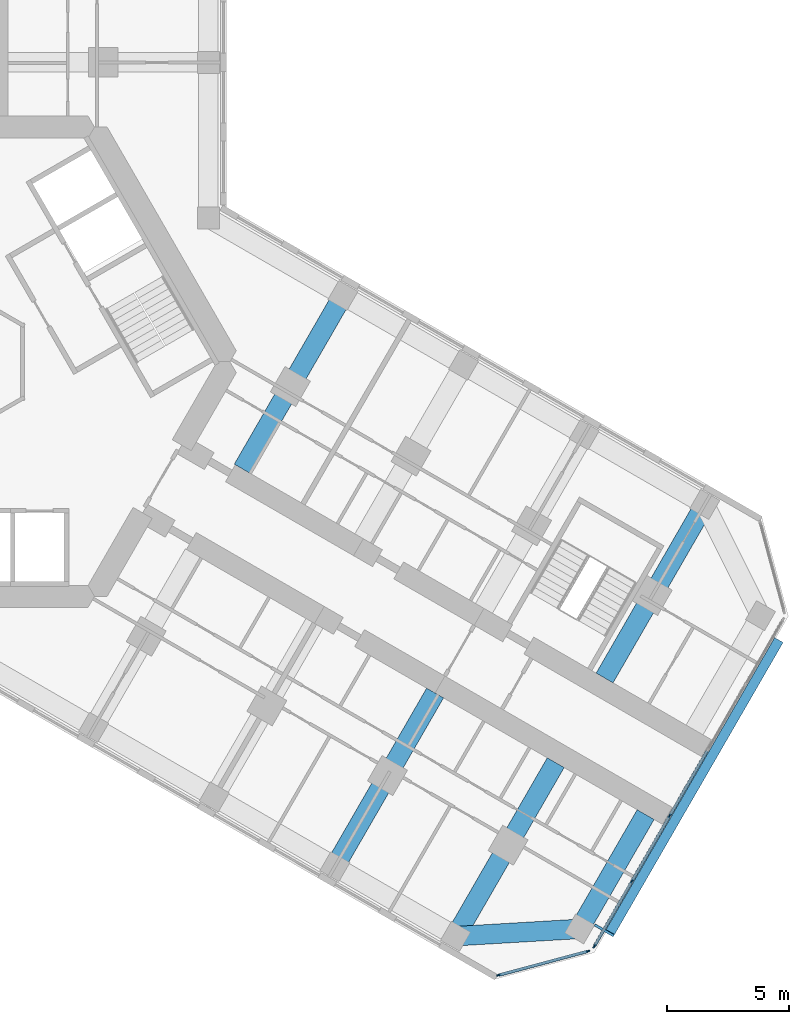
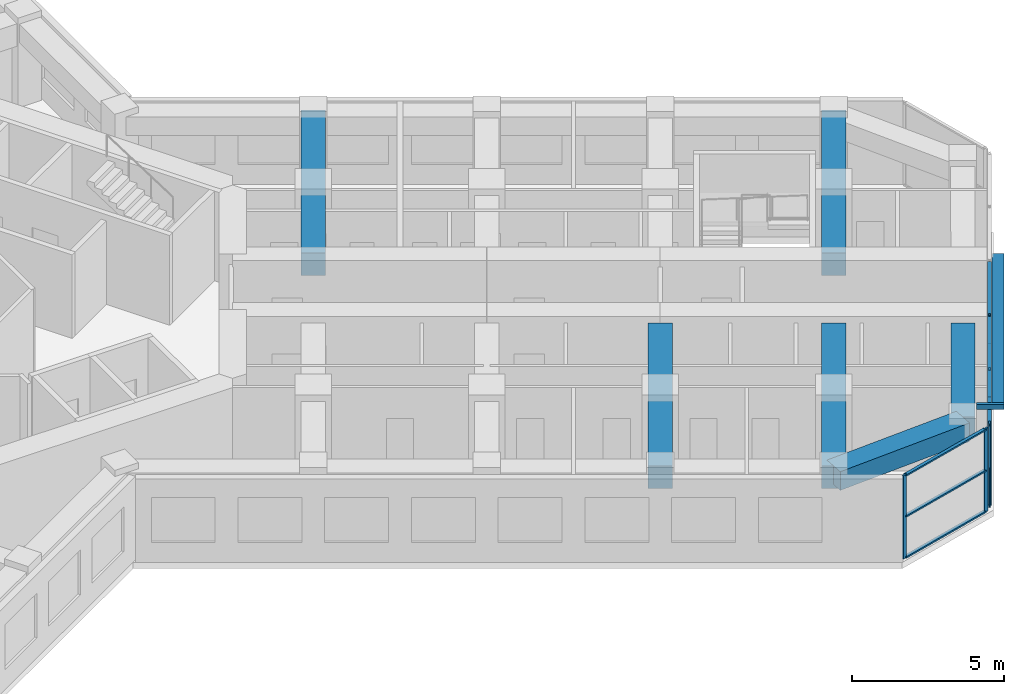
# One storey, part 5 of 19: 16 members, 6 beams, 2 elements without a shape of their own.
"""IFC4 building model written with IfcOpenShell, lengths in metres."""

from ifc_helpers import new_model, si_unit, direction, frame, origin, origin_2d, place, context, subcontext, project, spatial, rectangle, hollow_rectangle, extrude, material, material_profile, profile_set, type_object, element, aggregate, save


model = new_model("IFC4")

# Units and contexts
model_context = context("Model", 3, precision=1e-05, world=origin(), true_north=direction((0.0, 1.0)))
body_context = subcontext(model_context, "Body", "Model", "MODEL_VIEW")
ifc_project = project(units=[si_unit("LENGTHUNIT", "METRE"), si_unit("AREAUNIT", "SQUARE_METRE"), si_unit("VOLUMEUNIT", "CUBIC_METRE"), si_unit("PLANEANGLEUNIT", "RADIAN"), si_unit("MASSUNIT", "GRAM", prefix="KILO")], contexts=[model_context])

# Site, building, storey
site_placement = place(None, origin())
site = spatial("IfcSite", under=ifc_project, at=site_placement, CompositionType="ELEMENT")
building_placement = place(site_placement, origin())
building = spatial("IfcBuilding", under=site, at=building_placement, Name="Kosmar Iwan School Tower", CompositionType="ELEMENT")
storey_placement = place(building_placement, frame((0.0, 0.0, 134.60009765625)))
storey = spatial("IfcBuildingStorey", under=building, at=storey_placement, Name="L33", CompositionType="ELEMENT", Elevation=134.60009765625)

# Members
ifc_material_1 = material(Name="Black anodised aluminium", Category="aluminium")
ifc_material_profile_1 = material_profile(ifc_material_1, rectangle(XDim=0.10009765625, YDim=0.39990234375, at=origin_2d()), Name="FIN 100x400")
ifc_profile_set_1 = profile_set([ifc_material_profile_1], Name="Black anodised aluminium")
member_type_1 = type_object("IfcMemberType", Name="Diagonal fin 100x400", PredefinedType="USERDEFINED", material=ifc_profile_set_1)
member_1_placement = place(storey_placement, frame((33.54345703125, -11.40087890625, -0.150146484375), z_axis=(-0.483793446988, -0.837970316603, 0.25248692866), x_axis=(0.126241714543, 0.218661104574, 0.96760030532)))
element("IfcMember", 1, at=member_1_placement, inside=storey, type_object=member_type_1, Name="Diagonal fin L33-F03", ObjectType="FIN", PredefinedType="USERDEFINED", context=body_context, shape_type="SweptSolid", body=[
    extrude(rectangle(XDim=0.10009765625, YDim=0.39990234375, at=origin_2d()), origin(), (0.0, 0.0, 1.0), 14.258544921875),
])
ifc_material_2 = material(Name="Steel S355", Category="steel")
ifc_material_profile_2 = material_profile(ifc_material_2, hollow_rectangle(XDim=0.10009765625, YDim=0.199951171875, WallThickness=0.008056640625, at=origin_2d()), Name="RHS 200x100x8")
ifc_profile_set_2 = profile_set([ifc_material_profile_2], Name="Steel S355")
member_type_2 = type_object("IfcMemberType", Name="Fin bracket RHS 200x100", PredefinedType="USERDEFINED", material=ifc_profile_set_2)
member_2_placement = place(storey_placement, frame((26.01318359375, -23.0439453125, 3.474853515625), z_axis=(0.866013897511, -0.50001992892, 0.0), x_axis=(0.50001992892, 0.866013897511, 0.0)))
element("IfcMember", 2, at=member_2_placement, inside=storey, type_object=member_type_2, Name="Fin bracket L34", ObjectType="FIN BRACKET", PredefinedType="USERDEFINED", context=body_context, shape_type="SweptSolid", body=[
    extrude(hollow_rectangle(XDim=0.10009765625, YDim=0.199951171875, WallThickness=0.008056640625, at=origin_2d()), origin(), (0.0, 0.0, 1.0), 0.89990234375),
])

# Curtain wall, members
ifc_material_3 = material(Name="Dark glass in black aluminium frame", Category="aluminium")
curtain_wall_type_1 = type_object("IfcCurtainWallType", Name="Chamfer curtain wall dark glass", PredefinedType="USERDEFINED", material=ifc_material_3)
curtain_wall_1_placement = place(storey_placement, origin())
curtain_wall_1 = element("IfcCurtainWall", 3, at=curtain_wall_1_placement, inside=storey, type_object=curtain_wall_type_1, Name="Curtain wall L33-F02", ObjectType="FACETED CURTAIN WALL", PredefinedType="USERDEFINED")
ifc_material_4 = material(Name="Black anodised aluminium", Category="aluminium")
ifc_material_profile_3 = material_profile(ifc_material_4, rectangle(XDim=0.06005859375, YDim=0.159912109375, at=origin_2d()), Name="MULLION 60x160")
ifc_profile_set_3 = profile_set([ifc_material_profile_3], Name="Black anodised aluminium")
member_type_3 = type_object("IfcMemberType", Name="Mullion 60x160", PredefinedType="MULLION", material=ifc_profile_set_3)
member_3_placement = place(storey_placement, frame((22.0830078125, -25.102294921875, 0.0), z_axis=(0.0, 0.0, 1.0), x_axis=(-0.258818861462, 0.965925875495, 0.0)))
member_3 = element("IfcMember", 4, at=member_3_placement, type_object=member_type_3, Name="CW2 mullion 1", PredefinedType="MULLION", context=body_context, shape_type="SweptSolid", body=[
    extrude(rectangle(XDim=0.06005859375, YDim=0.159912109375, at=origin_2d()), origin(), (0.0, 0.0, 1.0), 3.349853515625),
])
member_4_placement = place(storey_placement, frame((25.733154296875, -24.124267578125, 0.0), z_axis=(0.0, 0.0, 1.0), x_axis=(-0.258818861462, 0.965925875495, 0.0)))
member_4 = element("IfcMember", 5, at=member_4_placement, type_object=member_type_3, Name="CW2 mullion 2", PredefinedType="MULLION", context=body_context, shape_type="SweptSolid", body=[
    extrude(rectangle(XDim=0.06005859375, YDim=0.159912109375, at=origin_2d()), origin(), (0.0, 0.0, 1.0), 3.349853515625),
])

ifc_material_5 = material(Name="Dark glass in black aluminium frame", Category="aluminium")
curtain_wall_type_2 = type_object("IfcCurtainWallType", Name="Tower curtain wall dark glass", PredefinedType="USERDEFINED", material=ifc_material_5)
curtain_wall_2_placement = place(storey_placement, origin())
curtain_wall_2 = element("IfcCurtainWall", 6, at=curtain_wall_2_placement, inside=storey, type_object=curtain_wall_type_2, Name="Curtain wall L33-F03", ObjectType="UNITISED CURTAIN WALL", PredefinedType="USERDEFINED")
member_5_placement = place(storey_placement, frame((25.9970703125, -23.921630859375, 0.0), z_axis=(0.0, 0.0, 1.0), x_axis=(-0.866025405329, 0.499999997325, 0.0)))
member_5 = element("IfcMember", 7, at=member_5_placement, type_object=member_type_3, Name="CW1 mullion 1", PredefinedType="MULLION", context=body_context, shape_type="SweptSolid", body=[
    extrude(rectangle(XDim=0.06005859375, YDim=0.159912109375, at=origin_2d()), origin(), (0.0, 0.0, 1.0), 3.349853515625),
])
member_6_placement = place(storey_placement, frame((27.53173828125, -21.263671875, 0.0), z_axis=(0.0, 0.0, 1.0), x_axis=(-0.866025405329, 0.499999997325, 0.0)))
member_6 = element("IfcMember", 8, at=member_6_placement, type_object=member_type_3, Name="CW1 mullion 2", PredefinedType="MULLION", context=body_context, shape_type="SweptSolid", body=[
    extrude(rectangle(XDim=0.06005859375, YDim=0.159912109375, at=origin_2d()), origin(), (0.0, 0.0, 1.0), 3.349853515625),
])
member_7_placement = place(storey_placement, frame((29.081298828125, -18.57958984375, 0.0), z_axis=(0.0, 0.0, 1.0), x_axis=(-0.866025405329, 0.499999997325, 0.0)))
member_7 = element("IfcMember", 9, at=member_7_placement, type_object=member_type_3, Name="CW1 mullion 3", PredefinedType="MULLION", context=body_context, shape_type="SweptSolid", body=[
    extrude(rectangle(XDim=0.06005859375, YDim=0.159912109375, at=origin_2d()), origin(), (0.0, 0.0, 1.0), 3.349853515625),
])

# Beams
ifc_material_6 = material(Name="Concrete C50/60", Category="concrete")
ifc_material_profile_4 = material_profile(ifc_material_6, rectangle(XDim=0.800048828125, YDim=0.75, at=origin_2d()), Name="RC 800x750")
ifc_profile_set_4 = profile_set([ifc_material_profile_4], Name="Concrete C50/60")
beam_type_1 = type_object("IfcBeamType", Name="RC tip beam 800x750", PredefinedType="BEAM", material=ifc_profile_set_4)
beam_1_placement = place(storey_placement, frame((20.31787109375, -23.508544921875, 2.974853515625), z_axis=(0.998260616478, 0.058955420358, 0.0), x_axis=(-0.058955420358, 0.998260616478, 0.0)))
element("IfcBeam", 10, at=beam_1_placement, inside=storey, type_object=beam_type_1, Name="Tip beam CR", PredefinedType="BEAM", context=body_context, shape_type="SweptSolid", body=[
    extrude(rectangle(XDim=0.800048828125, YDim=0.75, at=origin_2d()), origin(), (0.0, 0.0, 1.0), 5.08935546875),
])
beam_2_placement = place(storey_placement, frame((25.3984375, -23.20849609375, 2.974853515625), z_axis=(0.499995103361, 0.866028230842, 0.0), x_axis=(-0.866028230842, 0.499995103361, 0.0)))
element("IfcBeam", 11, at=beam_2_placement, inside=storey, type_object=beam_type_1, Name="Tip beam CR to corridor wall", PredefinedType="BEAM", context=body_context, shape_type="SweptSolid", body=[
    extrude(rectangle(XDim=0.800048828125, YDim=0.75, at=origin_2d()), origin(), (0.0, 0.0, 1.0), 5.39990234375),
])
ifc_material_7 = material(Name="Concrete C50/60", Category="concrete")
ifc_material_profile_5 = material_profile(ifc_material_7, rectangle(XDim=0.800048828125, YDim=0.89990234375, at=origin_2d()), Name="RC 800x900")
ifc_profile_set_5 = profile_set([ifc_material_profile_5], Name="Concrete C50/60")
beam_type_2 = type_object("IfcBeamType", Name="RC transverse beam 800x900", PredefinedType="BEAM", material=ifc_profile_set_5)
for number, where, z_axis, x_axis, name in (
    (12, (15.708740234375, 2.70849609375, 2.89990234375), (-0.499978459874, -0.866037839625, 0.0), (0.866037839625, -0.499978459874, 0.0), "Transverse beam CL1"),
    (13, (30.517822265625, -5.841552734375, 2.89990234375), (-0.500013681986, -0.866017504342, 0.0), (0.866017504342, -0.500013681986, 0.0), "Transverse beam CL4"),
    (14, (15.381591796875, -20.658447265625, 2.89990234375), (0.49999135188, 0.866030396721, 0.0), (-0.866030396721, 0.49999135188, 0.0), "Transverse beam CR3"),
    (15, (20.31787109375, -23.508544921875, 2.89990234375), (0.499978459874, 0.866037839625, 0.0), (-0.866037839625, 0.499978459874, 0.0), "Transverse beam CR4"),
):
    element("IfcBeam", number, at=place(storey_placement, frame(where, z_axis=z_axis, x_axis=x_axis)), inside=storey, type_object=beam_type_2, Name=name, PredefinedType="BEAM", context=body_context, shape_type="SweptSolid", body=[
        extrude(rectangle(XDim=0.800048828125, YDim=0.89990234375, at=origin_2d()), origin(), (0.0, 0.0, 1.0), 8.199951171875),
    ])

# Member
ifc_material_8 = material(Name="Black anodised aluminium", Category="aluminium")
ifc_material_profile_6 = material_profile(ifc_material_8, rectangle(XDim=0.1201171875, YDim=0.06005859375, at=origin_2d()), Name="TRANSOM 60x120")
ifc_profile_set_6 = profile_set([ifc_material_profile_6], Name="Black anodised aluminium")
member_type_4 = type_object("IfcMemberType", Name="Transom 60x120", PredefinedType="USERDEFINED", material=ifc_profile_set_6)
member_8_placement = place(storey_placement, frame((22.11181640625, -25.094482421875, 0.02978515625), z_axis=(0.965923731726, 0.258826861991, 0.0), x_axis=(-0.258826861991, 0.965923731726, 0.0)))
member_8 = element("IfcMember", 16, at=member_8_placement, type_object=member_type_4, Name="CW2 transom 1.1", ObjectType="TRANSOM", PredefinedType="USERDEFINED", context=body_context, shape_type="SweptSolid", body=[
    extrude(rectangle(XDim=0.1201171875, YDim=0.06005859375, at=origin_2d()), origin(), (0.0, 0.0, 1.0), 3.71923828125),
])

member_9_placement = place(storey_placement, frame((22.11181640625, -25.094482421875, 1.6748046875), z_axis=(0.965923731726, 0.258826861991, 0.0), x_axis=(-0.258826861991, 0.965923731726, 0.0)))
member_9 = element("IfcMember", 17, at=member_9_placement, type_object=member_type_4, Name="CW2 transom 1.2", ObjectType="TRANSOM", PredefinedType="USERDEFINED", context=body_context, shape_type="SweptSolid", body=[
    extrude(rectangle(XDim=0.1201171875, YDim=0.06005859375, at=origin_2d()), origin(), (0.0, 0.0, 1.0), 3.71923828125),
])

member_10_placement = place(storey_placement, frame((22.11181640625, -25.094482421875, 3.31982421875), z_axis=(0.965923731726, 0.258826861991, 0.0), x_axis=(-0.258826861991, 0.965923731726, 0.0)))
member_10 = element("IfcMember", 18, at=member_10_placement, type_object=member_type_4, Name="CW2 transom 1.3", ObjectType="TRANSOM", PredefinedType="USERDEFINED", context=body_context, shape_type="SweptSolid", body=[
    extrude(rectangle(XDim=0.1201171875, YDim=0.06005859375, at=origin_2d()), origin(), (0.0, 0.0, 1.0), 3.71923828125),
])

aggregate(curtain_wall_1, [member_3, member_4, member_8, member_9, member_10])

member_11_placement = place(storey_placement, frame((26.01220703125, -23.895751953125, 0.02978515625), z_axis=(0.499986971506, 0.866032925658, 0.0), x_axis=(-0.866032925658, 0.499986971506, 0.0)))
member_11 = element("IfcMember", 19, at=member_11_placement, type_object=member_type_4, Name="CW1 transom 1.1", ObjectType="TRANSOM", PredefinedType="USERDEFINED", context=body_context, shape_type="SweptSolid", body=[
    extrude(rectangle(XDim=0.1201171875, YDim=0.06005859375, at=origin_2d()), origin(), (0.0, 0.0, 1.0), 3.00927734375),
])

member_12_placement = place(storey_placement, frame((26.01220703125, -23.895751953125, 3.31982421875), z_axis=(0.499986971506, 0.866032925658, 0.0), x_axis=(-0.866032925658, 0.499986971506, 0.0)))
member_12 = element("IfcMember", 20, at=member_12_placement, type_object=member_type_4, Name="CW1 transom 1.2", ObjectType="TRANSOM", PredefinedType="USERDEFINED", context=body_context, shape_type="SweptSolid", body=[
    extrude(rectangle(XDim=0.1201171875, YDim=0.06005859375, at=origin_2d()), origin(), (0.0, 0.0, 1.0), 3.00927734375),
])

member_13_placement = place(storey_placement, frame((27.546875, -21.237548828125, 0.02978515625), z_axis=(0.499975102327, 0.866039777986, 0.0), x_axis=(-0.866039777986, 0.499975102327, 0.0)))
member_13 = element("IfcMember", 21, at=member_13_placement, type_object=member_type_4, Name="CW1 transom 2.1", ObjectType="TRANSOM", PredefinedType="USERDEFINED", context=body_context, shape_type="SweptSolid", body=[
    extrude(rectangle(XDim=0.1201171875, YDim=0.06005859375, at=origin_2d()), origin(), (0.0, 0.0, 1.0), 3.039306640625),
])

member_14_placement = place(storey_placement, frame((27.546875, -21.237548828125, 3.31982421875), z_axis=(0.499975102327, 0.866039777986, 0.0), x_axis=(-0.866039777986, 0.499975102327, 0.0)))
member_14 = element("IfcMember", 22, at=member_14_placement, type_object=member_type_4, Name="CW1 transom 2.2", ObjectType="TRANSOM", PredefinedType="USERDEFINED", context=body_context, shape_type="SweptSolid", body=[
    extrude(rectangle(XDim=0.1201171875, YDim=0.06005859375, at=origin_2d()), origin(), (0.0, 0.0, 1.0), 3.039306640625),
])

member_15_placement = place(storey_placement, frame((29.096435546875, -18.553466796875, 0.02978515625), z_axis=(0.499975102327, 0.866039777986, 0.0), x_axis=(-0.866039777986, 0.499975102327, 0.0)))
member_15 = element("IfcMember", 23, at=member_15_placement, type_object=member_type_4, Name="CW1 transom 3.1", ObjectType="TRANSOM", PredefinedType="USERDEFINED", context=body_context, shape_type="SweptSolid", body=[
    extrude(rectangle(XDim=0.1201171875, YDim=0.06005859375, at=origin_2d()), origin(), (0.0, 0.0, 1.0), 3.039306640625),
])

member_16_placement = place(storey_placement, frame((29.096435546875, -18.553466796875, 3.31982421875), z_axis=(0.499975102327, 0.866039777986, 0.0), x_axis=(-0.866039777986, 0.499975102327, 0.0)))
member_16 = element("IfcMember", 24, at=member_16_placement, type_object=member_type_4, Name="CW1 transom 3.2", ObjectType="TRANSOM", PredefinedType="USERDEFINED", context=body_context, shape_type="SweptSolid", body=[
    extrude(rectangle(XDim=0.1201171875, YDim=0.06005859375, at=origin_2d()), origin(), (0.0, 0.0, 1.0), 3.039306640625),
])

aggregate(curtain_wall_2, [member_5, member_6, member_7, member_11, member_12, member_13, member_14, member_15, member_16])

save(model, "model.ifc")
